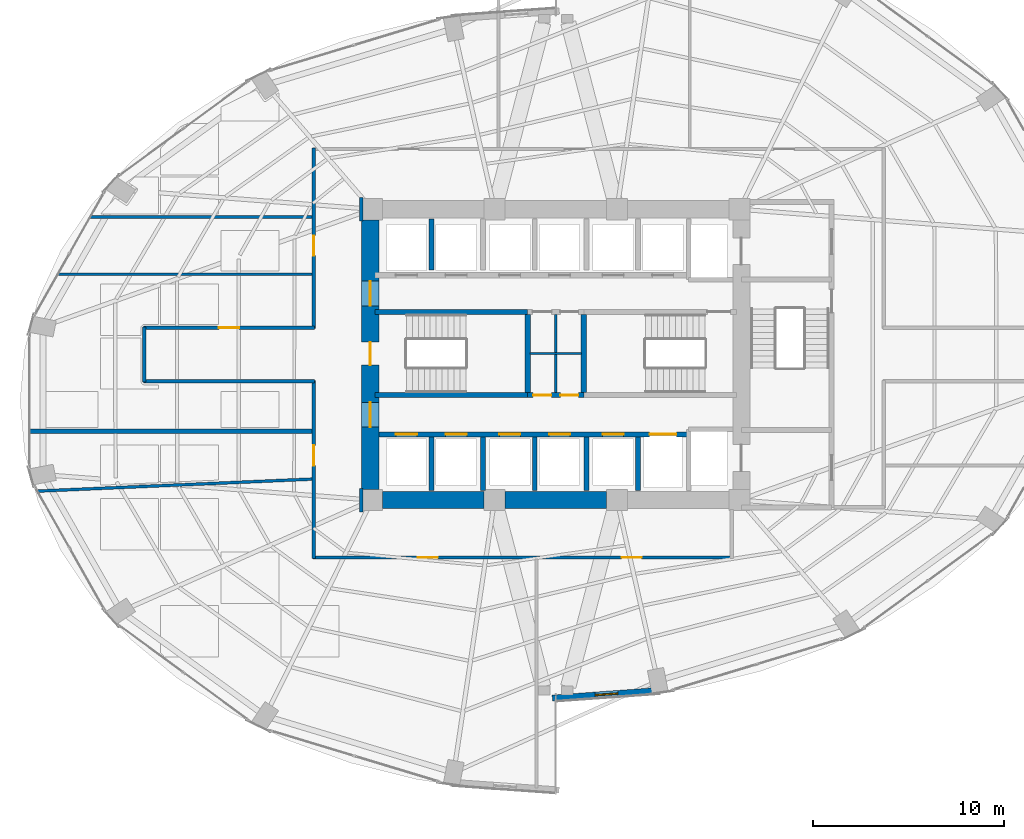
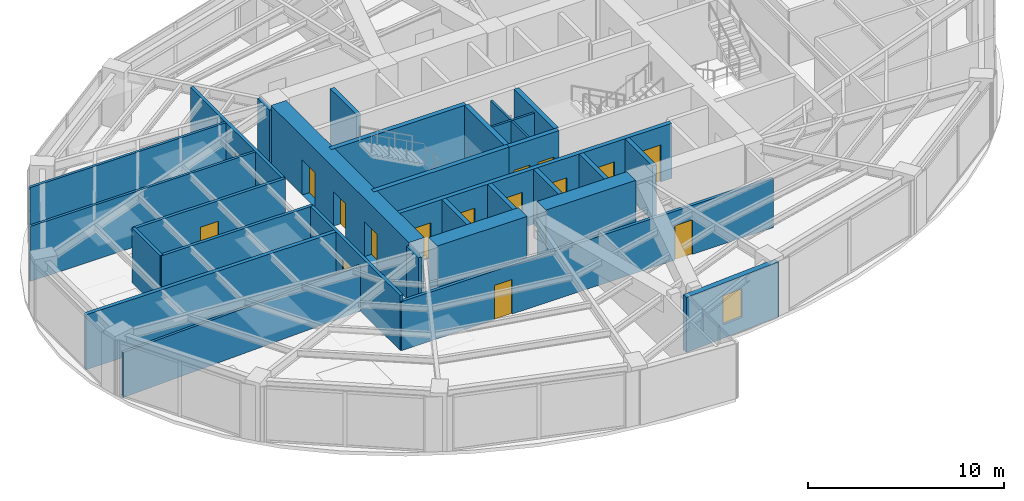
# One storey, part 21 of 25: 30 walls, 16 doors, 1 window, 17 openings.
"""IFC4 building model written with IfcOpenShell, lengths in metres."""

from ifc_helpers import new_model, si_unit, direction, frame, frame_2d, origin, place, context, subcontext, project, spatial, rectangle, extrude, material, layer, layer_set, type_object, element, fill, save


model = new_model("IFC4")

# Units and contexts
model_context = context("Model", 3, precision=1e-05, world=origin(), true_north=direction((0.0, 1.0)))
body_context = subcontext(model_context, "Body", "Model", "MODEL_VIEW")
ifc_project = project(units=[si_unit("LENGTHUNIT", "METRE"), si_unit("AREAUNIT", "SQUARE_METRE"), si_unit("VOLUMEUNIT", "CUBIC_METRE"), si_unit("PLANEANGLEUNIT", "RADIAN"), si_unit("MASSUNIT", "GRAM", prefix="KILO")], contexts=[model_context])

# Site, building, storey
site_placement = place(None, origin())
site = spatial("IfcSite", under=ifc_project, at=site_placement, CompositionType="ELEMENT")
building_placement = place(site_placement, origin())
building = spatial("IfcBuilding", under=site, at=building_placement, Name="Lazwardi Medical Tower", CompositionType="ELEMENT")
storey_placement = place(building_placement, frame((0.0, 0.0, 43.43994140625)))
storey = spatial("IfcBuildingStorey", under=building, at=storey_placement, Name="L10", CompositionType="ELEMENT", Elevation=43.43994140625)

# Wall
ifc_material_1 = material(Name="Fire-rated gypsum board on steel stud", Category="steel")
ifc_layer_1 = layer(ifc_material_1, 0.179931640625)
ifc_layer_set_1 = layer_set([ifc_layer_1], Name="Fire-rated gypsum board on steel stud")
wall_type_1 = type_object("IfcWallType", Name="WL-COR-180", PredefinedType="PARTITIONING", material=ifc_layer_set_1)
wall_1_placement = place(storey_placement, frame((14.5, 26.56005859375, 0.0), z_axis=(0.0, 0.0, 1.0), x_axis=(0.0, 1.0, 0.0)))
element("IfcWall", 1, at=wall_1_placement, inside=storey, type_object=wall_type_1, Name="L10 Corridor partition 1", PredefinedType="PARTITIONING", context=body_context, shape_type="SweptSolid", body=[
    extrude(rectangle(XDim=2.8798828125, YDim=0.179931640625, at=frame_2d((1.43994140625, 0.0))), origin(), (0.0, 0.0, 1.0), 3.427978515625),
])

# Wall, opening, door
wall_2_placement = place(storey_placement, frame((14.4599609375, 29.39990234375, 0.0), z_axis=(0.0, 0.0, 1.0), x_axis=(1.0, 0.0, 0.0)))
wall_2 = element("IfcWall", 2, at=wall_2_placement, inside=storey, type_object=wall_type_1, Name="L10 Corridor partition 2", PredefinedType="PARTITIONING", context=body_context, shape_type="SweptSolid", body=[
    extrude(rectangle(XDim=8.929931640625, YDim=0.179931640625, at=frame_2d((4.46484375, 0.0))), origin(), (0.0, 0.0, 1.0), 3.427978515625),
])
opening_1_placement = place(wall_2_placement, frame((3.93994140625, 0.0, 0.0)))
opening_1 = element("IfcOpeningElement", 3, at=opening_1_placement, cuts=wall_2, Name="Opening D-L10-016", PredefinedType="OPENING", context=body_context, shape_type="SweptSolid", body=[
    extrude(rectangle(XDim=1.050048828125, YDim=2.14990234375, at=frame_2d((0.52490234375, 1.074951171875))), frame((0.0, 0.099853515625, 0.0), z_axis=(0.0, -1.0, 0.0), x_axis=(1.0, 0.0, 0.0)), (0.0, 0.0, 1.0), 0.199951171875),
])
ifc_material_2 = material(Name="Anti-microbial laminate hospital leaf")
door_type_1 = type_object("IfcDoorType", Name="DR-CLN-1050", OperationType="NOTDEFINED", PredefinedType="DOOR", material=ifc_material_2)
door_1_placement = place(opening_1_placement, origin())
door_1 = element("IfcDoor", 4, at=door_1_placement, inside=storey, type_object=door_type_1, Name="L10 Outpatient Clinic Door 08", OperationType="SINGLE_SWING_RIGHT", OverallHeight=2.14990234375, OverallWidth=1.050048828125, PredefinedType="DOOR", context=body_context, shape_type="SweptSolid", body=[
    extrude(rectangle(XDim=1.050048828125, YDim=2.14990234375, at=frame_2d((0.52490234375, 1.074951171875))), frame((0.0, 0.02490234375, 0.0), z_axis=(0.0, -1.0, 0.0), x_axis=(1.0, 0.0, 0.0)), (0.0, 0.0, 1.0), 0.050048828125),
])
fill(opening_1, door_1)

wall_3_placement = place(storey_placement, frame((23.35009765625, 29.360107421875, 0.0), z_axis=(0.0, 0.0, 1.0), x_axis=(0.0, 1.0, 0.0)))
wall_3 = element("IfcWall", 5, at=wall_3_placement, inside=storey, type_object=wall_type_1, Name="L10 Corridor partition 3", PredefinedType="PARTITIONING", context=body_context, shape_type="SweptSolid", body=[
    extrude(rectangle(XDim=9.429931640625, YDim=0.179931640625, at=frame_2d((4.71484375, 0.0))), origin(), (0.0, 0.0, 1.0), 3.427978515625),
])
opening_2_placement = place(wall_3_placement, frame((3.81494140625, 0.0, 0.0)))
opening_2 = element("IfcOpeningElement", 6, at=opening_2_placement, cuts=wall_3, Name="Opening D-L10-015", PredefinedType="OPENING", context=body_context, shape_type="SweptSolid", body=[
    extrude(rectangle(XDim=1.050048828125, YDim=2.14990234375, at=frame_2d((0.52490234375, 1.074951171875))), frame((0.0, 0.099853515625, 0.0), z_axis=(0.0, -1.0, 0.0), x_axis=(1.0, 0.0, 0.0)), (0.0, 0.0, 1.0), 0.199951171875),
])
door_2_placement = place(opening_2_placement, origin())
door_2 = element("IfcDoor", 7, at=door_2_placement, inside=storey, type_object=door_type_1, Name="L10 Outpatient Clinic Door 07", OperationType="SINGLE_SWING_LEFT", OverallHeight=2.14990234375, OverallWidth=1.050048828125, PredefinedType="DOOR", context=body_context, shape_type="SweptSolid", body=[
    extrude(rectangle(XDim=1.050048828125, YDim=2.14990234375, at=frame_2d((0.52490234375, 1.074951171875))), frame((0.0, 0.02490234375, 0.0), z_axis=(0.0, -1.0, 0.0), x_axis=(1.0, 0.0, 0.0)), (0.0, 0.0, 1.0), 0.050048828125),
])
fill(opening_2, door_2)

# Walls
for number, where, z_axis, x_axis, name in (
    (8, (25.830078125, 36.2099609375, 0.0), (0.0, 0.0, 1.0), (0.0, -1.0, 0.0), "L10 Corridor partition 12"),
    (9, (25.830078125, 21.010009765625, 0.0), (0.0, 0.0, 1.0), (0.0, -1.0, 0.0), "L10 Corridor partition 13"),
):
    element("IfcWall", number, at=place(storey_placement, frame(where, z_axis=z_axis, x_axis=x_axis)), inside=storey, type_object=wall_type_1, Name=name, PredefinedType="PARTITIONING", context=body_context, shape_type="SweptSolid", body=[
        extrude(rectangle(XDim=1.219970703125, YDim=0.179931640625, at=frame_2d((0.60986328125, 0.0))), origin(), (0.0, 0.0, 1.0), 3.427978515625),
    ])

# Wall, openings, doors
wall_4_placement = place(storey_placement, frame((45.239990234375, 17.39990234375, 0.0), z_axis=(0.0, 0.0, 1.0), x_axis=(-1.0, 0.0, 0.0)))
wall_4 = element("IfcWall", 10, at=wall_4_placement, inside=storey, type_object=wall_type_1, Name="L10 Corridor partition 15", PredefinedType="PARTITIONING", context=body_context, shape_type="SweptSolid", body=[
    extrude(rectangle(XDim=21.929931640625, YDim=0.179931640625, at=frame_2d((10.96484375, 0.0))), origin(), (0.0, 0.0, 1.0), 3.052978515625),
])
opening_3_placement = place(wall_4_placement, frame((15.40087890625, 0.0, 0.0)))
opening_3 = element("IfcOpeningElement", 11, at=opening_3_placement, cuts=wall_4, Name="Opening D-L10-010", PredefinedType="OPENING", context=body_context, shape_type="SweptSolid", body=[
    extrude(rectangle(XDim=1.050048828125, YDim=2.14990234375, at=frame_2d((0.52490234375, 1.074951171875))), frame((0.0, 0.099853515625, 0.0), z_axis=(0.0, -1.0, 0.0), x_axis=(1.0, 0.0, 0.0)), (0.0, 0.0, 1.0), 0.199951171875),
])
opening_4_placement = place(wall_4_placement, frame((4.75390625, 0.0, 0.0)))
opening_4 = element("IfcOpeningElement", 12, at=opening_4_placement, cuts=wall_4, Name="Opening D-L10-011", PredefinedType="OPENING", context=body_context, shape_type="SweptSolid", body=[
    extrude(rectangle(XDim=1.050048828125, YDim=2.14990234375, at=frame_2d((0.52490234375, 1.074951171875))), frame((0.0, 0.099853515625, 0.0), z_axis=(0.0, -1.0, 0.0), x_axis=(1.0, 0.0, 0.0)), (0.0, 0.0, 1.0), 0.199951171875),
])
door_3_placement = place(opening_3_placement, origin())
door_3 = element("IfcDoor", 13, at=door_3_placement, inside=storey, type_object=door_type_1, Name="L10 Clinical Specialist Office Door 02", OperationType="SINGLE_SWING_RIGHT", OverallHeight=2.14990234375, OverallWidth=1.050048828125, PredefinedType="DOOR", context=body_context, shape_type="SweptSolid", body=[
    extrude(rectangle(XDim=1.050048828125, YDim=2.14990234375, at=frame_2d((0.52490234375, 1.074951171875))), frame((0.0, 0.02490234375, 0.0), z_axis=(0.0, -1.0, 0.0), x_axis=(1.0, 0.0, 0.0)), (0.0, 0.0, 1.0), 0.050048828125),
])
fill(opening_3, door_3)
door_4_placement = place(opening_4_placement, origin())
door_4 = element("IfcDoor", 14, at=door_4_placement, inside=storey, type_object=door_type_1, Name="L10 Outpatient Consultation Suite Door 03", OperationType="SINGLE_SWING_LEFT", OverallHeight=2.14990234375, OverallWidth=1.050048828125, PredefinedType="DOOR", context=body_context, shape_type="SweptSolid", body=[
    extrude(rectangle(XDim=1.050048828125, YDim=2.14990234375, at=frame_2d((0.52490234375, 1.074951171875))), frame((0.0, 0.02490234375, 0.0), z_axis=(0.0, -1.0, 0.0), x_axis=(1.0, 0.0, 0.0)), (0.0, 0.0, 1.0), 0.050048828125),
])
fill(opening_4, door_4)

# Wall, opening, door
wall_5_placement = place(storey_placement, frame((23.35009765625, 17.360107421875, 0.0), z_axis=(0.0, 0.0, 1.0), x_axis=(0.0, 1.0, 0.0)))
wall_5 = element("IfcWall", 15, at=wall_5_placement, inside=storey, type_object=wall_type_1, Name="L10 Corridor partition 16", PredefinedType="PARTITIONING", context=body_context, shape_type="SweptSolid", body=[
    extrude(rectangle(XDim=9.27978515625, YDim=0.179931640625, at=frame_2d((4.639892578125, 0.0))), origin(), (0.0, 0.0, 1.0), 3.427978515625),
])
opening_5_placement = place(wall_5_placement, frame((4.845703125, 0.0, 0.0)))
opening_5 = element("IfcOpeningElement", 16, at=opening_5_placement, cuts=wall_5, Name="Opening D-L10-009", PredefinedType="OPENING", context=body_context, shape_type="SweptSolid", body=[
    extrude(rectangle(XDim=1.050048828125, YDim=2.14990234375, at=frame_2d((0.52490234375, 1.074951171875))), frame((0.0, 0.099853515625, 0.0), z_axis=(0.0, -1.0, 0.0), x_axis=(1.0, 0.0, 0.0)), (0.0, 0.0, 1.0), 0.199951171875),
])
door_5_placement = place(opening_5_placement, origin())
door_5 = element("IfcDoor", 17, at=door_5_placement, inside=storey, type_object=door_type_1, Name="L10 Outpatient Clinic Door 01", OperationType="SINGLE_SWING_LEFT", OverallHeight=2.14990234375, OverallWidth=1.050048828125, PredefinedType="DOOR", context=body_context, shape_type="SweptSolid", body=[
    extrude(rectangle(XDim=1.050048828125, YDim=2.14990234375, at=frame_2d((0.52490234375, 1.074951171875))), frame((0.0, 0.02490234375, 0.0), z_axis=(0.0, -1.0, 0.0), x_axis=(1.0, 0.0, 0.0)), (0.0, 0.0, 1.0), 0.050048828125),
])
fill(opening_5, door_5)

# Wall
wall_6_placement = place(storey_placement, frame((23.389892578125, 26.60009765625, 0.0), z_axis=(0.0, 0.0, 1.0), x_axis=(-1.0, 0.0, 0.0)))
element("IfcWall", 18, at=wall_6_placement, inside=storey, type_object=wall_type_1, Name="L10 Corridor partition 17", PredefinedType="PARTITIONING", context=body_context, shape_type="SweptSolid", body=[
    extrude(rectangle(XDim=8.929931640625, YDim=0.179931640625, at=frame_2d((4.46484375, 0.0))), origin(), (0.0, 0.0, 1.0), 3.427978515625),
])

# Wall, openings, doors
ifc_material_3 = material(Name="Concrete C80/95", Category="concrete")
ifc_layer_2 = layer(ifc_material_3, 0.89990234375)
ifc_layer_set_2 = layer_set([ifc_layer_2], Name="Concrete C80/95")
wall_type_2 = type_object("IfcWallType", Name="WL-CORE-900", PredefinedType="SHEAR", material=ifc_layer_set_2)
wall_7_placement = place(storey_placement, frame((26.300048828125, 20.949951171875, 0.0), z_axis=(0.0, 0.0, 1.0), x_axis=(0.0, 1.0, 0.0)))
wall_7 = element("IfcWall", 19, at=wall_7_placement, inside=storey, type_object=wall_type_2, Name="Core wall CW-S1 west L10", PredefinedType="SHEAR", context=body_context, shape_type="SweptSolid", body=[
    extrude(rectangle(XDim=14.10009765625, YDim=0.89990234375, at=frame_2d((7.050048828125, 0.0))), origin(), (0.0, 0.0, 1.0), 3.64794921875),
])
opening_6_placement = place(wall_7_placement, frame((6.5, 0.0, 0.0)))
opening_6 = element("IfcOpeningElement", 20, at=opening_6_placement, cuts=wall_7, Name="Opening D-L10-017", PredefinedType="OPENING", context=body_context, shape_type="SweptSolid", body=[
    extrude(rectangle(XDim=1.199951171875, YDim=2.14990234375, at=frame_2d((0.60009765625, 1.074951171875))), frame((0.0, 0.4599609375, 0.0), z_axis=(0.0, -1.0, 0.0), x_axis=(1.0, 0.0, 0.0)), (0.0, 0.0, 1.0), 0.919921875),
])
opening_7_placement = place(wall_7_placement, frame((9.60009765625, 0.0, 0.0)))
opening_7 = element("IfcOpeningElement", 21, at=opening_7_placement, cuts=wall_7, Name="Opening D-L10-007", PredefinedType="OPENING", context=body_context, shape_type="SweptSolid", body=[
    extrude(rectangle(XDim=1.300048828125, YDim=2.199951171875, at=frame_2d((0.64990234375, 1.10009765625))), frame((0.0, 0.4599609375, 0.0), z_axis=(0.0, -1.0, 0.0), x_axis=(1.0, 0.0, 0.0)), (0.0, 0.0, 1.0), 0.919921875),
])
opening_8_placement = place(wall_7_placement, frame((3.260009765625, 0.0, 0.0)))
opening_8 = element("IfcOpeningElement", 22, at=opening_8_placement, cuts=wall_7, Name="Opening D-L10-008", PredefinedType="OPENING", context=body_context, shape_type="SweptSolid", body=[
    extrude(rectangle(XDim=1.300048828125, YDim=2.199951171875, at=frame_2d((0.64990234375, 1.10009765625))), frame((0.0, 0.4599609375, 0.0), z_axis=(0.0, -1.0, 0.0), x_axis=(1.0, 0.0, 0.0)), (0.0, 0.0, 1.0), 0.919921875),
])
ifc_material_4 = material(Name="Fire-rated steel leaf and frame", Category="steel")
door_type_2 = type_object("IfcDoorType", Name="DR-FFL-1300", OperationType="NOTDEFINED", PredefinedType="DOOR", material=ifc_material_4)
door_6_placement = place(opening_7_placement, origin())
door_6 = element("IfcDoor", 23, at=door_6_placement, inside=storey, type_object=door_type_2, Name="L10 North Lift Lobby Door", OperationType="SINGLE_SWING_RIGHT", OverallHeight=2.199951171875, OverallWidth=1.300048828125, PredefinedType="DOOR", context=body_context, shape_type="SweptSolid", body=[
    extrude(rectangle(XDim=1.300048828125, YDim=2.199951171875, at=frame_2d((0.64990234375, 1.10009765625))), frame((0.0, 0.02490234375, 0.0), z_axis=(0.0, -1.0, 0.0), x_axis=(1.0, 0.0, 0.0)), (0.0, 0.0, 1.0), 0.050048828125),
])
fill(opening_7, door_6)
door_7_placement = place(opening_8_placement, origin())
door_7 = element("IfcDoor", 24, at=door_7_placement, inside=storey, type_object=door_type_2, Name="L10 South Lift Lobby Door", OperationType="SINGLE_SWING_LEFT", OverallHeight=2.199951171875, OverallWidth=1.300048828125, PredefinedType="DOOR", context=body_context, shape_type="SweptSolid", body=[
    extrude(rectangle(XDim=1.300048828125, YDim=2.199951171875, at=frame_2d((0.64990234375, 1.10009765625))), frame((0.0, 0.02490234375, 0.0), z_axis=(0.0, -1.0, 0.0), x_axis=(1.0, 0.0, 0.0)), (0.0, 0.0, 1.0), 0.050048828125),
])
fill(opening_8, door_7)
door_type_3 = type_object("IfcDoorType", Name="DR-STR-1200", OperationType="NOTDEFINED", PredefinedType="DOOR", material=ifc_material_4)
door_8_placement = place(opening_6_placement, origin())
door_8 = element("IfcDoor", 25, at=door_8_placement, inside=storey, type_object=door_type_3, Name="L10 Exit Stair ST1 Door", OperationType="SINGLE_SWING_RIGHT", OverallHeight=2.14990234375, OverallWidth=1.199951171875, PredefinedType="DOOR", context=body_context, shape_type="SweptSolid", body=[
    extrude(rectangle(XDim=1.199951171875, YDim=2.14990234375, at=frame_2d((0.60009765625, 1.074951171875))), frame((0.0, 0.02490234375, 0.0), z_axis=(0.0, -1.0, 0.0), x_axis=(1.0, 0.0, 0.0)), (0.0, 0.0, 1.0), 0.050048828125),
])
fill(opening_6, door_8)

# Walls
wall_8_placement = place(storey_placement, frame((26.949951171875, 20.39990234375, 0.0), z_axis=(0.0, 0.0, 1.0), x_axis=(1.0, 0.0, 0.0)))
element("IfcWall", 26, at=wall_8_placement, inside=storey, type_object=wall_type_2, Name="Core wall CW-S1 S1 L10", PredefinedType="SHEAR", context=body_context, shape_type="SweptSolid", body=[
    extrude(rectangle(XDim=5.300048828125, YDim=0.89990234375, at=frame_2d((2.64990234375, 0.0))), origin(), (0.0, 0.0, 1.0), 3.64794921875),
])
wall_9_placement = place(storey_placement, frame((33.35009765625, 20.39990234375, 0.0), z_axis=(0.0, 0.0, 1.0), x_axis=(1.0, 0.0, 0.0)))
element("IfcWall", 27, at=wall_9_placement, inside=storey, type_object=wall_type_2, Name="Core wall CW-S1 S2 L10", PredefinedType="SHEAR", context=body_context, shape_type="SweptSolid", body=[
    extrude(rectangle(XDim=5.2998046875, YDim=0.89990234375, at=frame_2d((2.64990234375, 0.0))), origin(), (0.0, 0.0, 1.0), 3.64794921875),
])
ifc_material_5 = material(Name="Moisture-resistant gypsum board partition")
ifc_layer_3 = layer(ifc_material_5, 0.125)
ifc_layer_set_3 = layer_set([ifc_layer_3], Name="Moisture-resistant gypsum board partition")
wall_type_3 = type_object("IfcWallType", Name="WL-ENS-125", PredefinedType="PARTITIONING", material=ifc_layer_set_3)
wall_10_placement = place(storey_placement, frame((34.64990234375, 28.06005859375, 0.0), z_axis=(0.0, 0.0, 1.0), x_axis=(1.0, 0.0, 0.0)))
element("IfcWall", 28, at=wall_10_placement, inside=storey, type_object=wall_type_3, Name="L10 Core 4-way H divider", PredefinedType="PARTITIONING", context=body_context, shape_type="SweptSolid", body=[
    extrude(rectangle(XDim=2.7001953125, YDim=0.125, at=frame_2d((1.35009765625, 0.0))), origin(), (0.0, 0.0, 1.0), 3.427978515625),
])
wall_11_placement = place(storey_placement, frame((36.0, 26.02001953125, 0.0), z_axis=(0.0, 0.0, 1.0), x_axis=(0.0, 1.0, 0.0)))
element("IfcWall", 29, at=wall_11_placement, inside=storey, type_object=wall_type_3, Name="L10 Core 4-way V divider", PredefinedType="PARTITIONING", context=body_context, shape_type="SweptSolid", body=[
    extrude(rectangle(XDim=4.080078125, YDim=0.125, at=frame_2d((2.0400390625, 0.0))), origin(), (0.0, 0.0, 1.0), 3.427978515625),
])

# Wall, opening, window
ifc_material_6 = material(Name="Precast concrete C45/55", Category="concrete")
ifc_layer_4 = layer(ifc_material_6, 0.320068359375)
ifc_layer_set_4 = layer_set([ifc_layer_4], Name="Precast concrete C45/55")
wall_type_4 = type_object("IfcWallType", Name="WL-IWAN-320", PredefinedType="SOLIDWALL", material=ifc_layer_set_4)
wall_12_placement = place(storey_placement, frame((35.820556640625, 10.047119140625, 0.0), z_axis=(0.0, 0.0, 1.0), x_axis=(0.997422321809, 0.071754525696, 0.0)))
wall_12 = element("IfcWall", 30, at=wall_12_placement, inside=storey, type_object=wall_type_4, Name="L10 Iwan Portal Return Wall SE_ret", PredefinedType="SOLIDWALL", context=body_context, shape_type="SweptSolid", body=[
    extrude(rectangle(XDim=5.67529296875, YDim=0.320068359375, at=frame_2d((2.837646484375, 0.0))), origin(), (0.0, 0.0, 1.0), 3.427978515625),
])
opening_9_placement = place(wall_12_placement, frame((2.23779296875, 0.0, 0.85009765625)))
opening_9 = element("IfcOpeningElement", 31, at=opening_9_placement, cuts=wall_12, Name="Opening WN-04", PredefinedType="OPENING", context=body_context, shape_type="SweptSolid", body=[
    extrude(rectangle(XDim=1.199951171875, YDim=1.800048828125, at=frame_2d((0.60009765625, 0.89990234375))), frame((0.0, 0.169921875, 0.0), z_axis=(0.0, -1.0, 0.0), x_axis=(1.0, 0.0, 0.0)), (0.0, 0.0, 1.0), 0.340087890625),
])
ifc_material_7 = material(Name="Low-e bronze solar control double glazing", Category="glass")
window_type = type_object("IfcWindowType", Name="WIN-DRUM-1200", PartitioningType="SINGLE_PANEL", PredefinedType="WINDOW", material=ifc_material_7)
window_placement = place(opening_9_placement, origin())
window = element("IfcWindow", 32, at=window_placement, inside=storey, type_object=window_type, Name="L10 Iwan Slot Window SE_ret", OverallHeight=1.800048828125, OverallWidth=1.199951171875, PartitioningType="SINGLE_PANEL", PredefinedType="WINDOW", context=body_context, shape_type="SweptSolid", body=[
    extrude(rectangle(XDim=1.199951171875, YDim=1.800048828125, at=frame_2d((0.60009765625, 0.89990234375))), frame((0.0, 0.030029296875, 0.0), z_axis=(0.0, -1.0, 0.0), x_axis=(1.0, 0.0, 0.0)), (0.0, 0.0, 1.0), 0.06005859375),
])
fill(opening_9, window)

# Wall, openings, doors
ifc_material_8 = material(Name="Autoclaved aerated concrete blockwork", Category="masonry")
ifc_layer_5 = layer(ifc_material_8, 0.25)
ifc_layer_set_5 = layer_set([ifc_layer_5], Name="Autoclaved aerated concrete blockwork")
wall_type_5 = type_object("IfcWallType", Name="WL-SHAFT-250", PredefinedType="SOLIDWALL", material=ifc_layer_set_5)
wall_13_placement = place(storey_placement, frame((26.75, 23.830078125, 0.0), z_axis=(0.0, 0.0, 1.0), x_axis=(1.0, 0.0, 0.0)))
wall_13 = element("IfcWall", 33, at=wall_13_placement, inside=storey, type_object=wall_type_5, Name="L10 South lift bank front wall", PredefinedType="SOLIDWALL", context=body_context, shape_type="SweptSolid", body=[
    extrude(rectangle(XDim=16.199951171875, YDim=0.25, at=frame_2d((8.10009765625, 0.0))), origin(), (0.0, 0.0, 1.0), 3.427978515625),
])
opening_10_placement = place(wall_13_placement, frame((0.89990234375, 0.0, 0.0)))
opening_10 = element("IfcOpeningElement", 34, at=opening_10_placement, cuts=wall_13, Name="Opening LD-L10-006", PredefinedType="OPENING", context=body_context, shape_type="SweptSolid", body=[
    extrude(rectangle(XDim=1.10009765625, YDim=2.199951171875, at=frame_2d((0.550048828125, 1.10009765625))), frame((0.0, 0.135009765625, 0.0), z_axis=(0.0, -1.0, 0.0), x_axis=(1.0, 0.0, 0.0)), (0.0, 0.0, 1.0), 0.27001953125),
])
opening_11_placement = place(wall_13_placement, frame((3.5, 0.0, 0.0)))
opening_11 = element("IfcOpeningElement", 35, at=opening_11_placement, cuts=wall_13, Name="Opening LD-L10-007", PredefinedType="OPENING", context=body_context, shape_type="SweptSolid", body=[
    extrude(rectangle(XDim=1.10009765625, YDim=2.199951171875, at=frame_2d((0.550048828125, 1.10009765625))), frame((0.0, 0.135009765625, 0.0), z_axis=(0.0, -1.0, 0.0), x_axis=(1.0, 0.0, 0.0)), (0.0, 0.0, 1.0), 0.27001953125),
])
opening_12_placement = place(wall_13_placement, frame((6.300048828125, 0.0, 0.0)))
opening_12 = element("IfcOpeningElement", 36, at=opening_12_placement, cuts=wall_13, Name="Opening LD-L10-010", PredefinedType="OPENING", context=body_context, shape_type="SweptSolid", body=[
    extrude(rectangle(XDim=1.10009765625, YDim=2.199951171875, at=frame_2d((0.550048828125, 1.10009765625))), frame((0.0, 0.135009765625, 0.0), z_axis=(0.0, -1.0, 0.0), x_axis=(1.0, 0.0, 0.0)), (0.0, 0.0, 1.0), 0.27001953125),
])
opening_13_placement = place(wall_13_placement, frame((8.89990234375, 0.0, 0.0)))
opening_13 = element("IfcOpeningElement", 37, at=opening_13_placement, cuts=wall_13, Name="Opening LD-L10-011", PredefinedType="OPENING", context=body_context, shape_type="SweptSolid", body=[
    extrude(rectangle(XDim=1.10009765625, YDim=2.199951171875, at=frame_2d((0.550048828125, 1.10009765625))), frame((0.0, 0.135009765625, 0.0), z_axis=(0.0, -1.0, 0.0), x_axis=(1.0, 0.0, 0.0)), (0.0, 0.0, 1.0), 0.27001953125),
])
opening_14_placement = place(wall_13_placement, frame((11.699951171875, 0.0, 0.0)))
opening_14 = element("IfcOpeningElement", 38, at=opening_14_placement, cuts=wall_13, Name="Opening LD-L10-014", PredefinedType="OPENING", context=body_context, shape_type="SweptSolid", body=[
    extrude(rectangle(XDim=1.10009765625, YDim=2.199951171875, at=frame_2d((0.550048828125, 1.10009765625))), frame((0.0, 0.135009765625, 0.0), z_axis=(0.0, -1.0, 0.0), x_axis=(1.0, 0.0, 0.0)), (0.0, 0.0, 1.0), 0.27001953125),
])
opening_15_placement = place(wall_13_placement, frame((14.14990234375, 0.0, 0.0)))
opening_15 = element("IfcOpeningElement", 39, at=opening_15_placement, cuts=wall_13, Name="Opening LD-L10-003", PredefinedType="OPENING", context=body_context, shape_type="SweptSolid", body=[
    extrude(rectangle(XDim=1.39990234375, YDim=2.300048828125, at=frame_2d((0.699951171875, 1.14990234375))), frame((0.0, 0.135009765625, 0.0), z_axis=(0.0, -1.0, 0.0), x_axis=(1.0, 0.0, 0.0)), (0.0, 0.0, 1.0), 0.27001953125),
])
ifc_material_9 = material(Name="Brushed bronze stainless steel landing door", Category="steel")
door_type_4 = type_object("IfcDoorType", Name="DR-LFT-1100", OperationType="NOTDEFINED", PredefinedType="DOOR", material=ifc_material_9)
door_9_placement = place(opening_10_placement, origin())
door_9 = element("IfcDoor", 40, at=door_9_placement, inside=storey, type_object=door_type_4, Name="L10 Lift Landing Door PL-03", OperationType="SLIDING_TO_LEFT", OverallHeight=2.199951171875, OverallWidth=1.10009765625, PredefinedType="DOOR", context=body_context, shape_type="SweptSolid", body=[
    extrude(rectangle(XDim=1.10009765625, YDim=2.199951171875, at=frame_2d((0.550048828125, 1.10009765625))), frame((0.0, 0.02490234375, 0.0), z_axis=(0.0, -1.0, 0.0), x_axis=(1.0, 0.0, 0.0)), (0.0, 0.0, 1.0), 0.050048828125),
])
fill(opening_10, door_9)
door_10_placement = place(opening_11_placement, origin())
door_10 = element("IfcDoor", 41, at=door_10_placement, inside=storey, type_object=door_type_4, Name="L10 Lift Landing Door PL-04", OperationType="SLIDING_TO_LEFT", OverallHeight=2.199951171875, OverallWidth=1.10009765625, PredefinedType="DOOR", context=body_context, shape_type="SweptSolid", body=[
    extrude(rectangle(XDim=1.10009765625, YDim=2.199951171875, at=frame_2d((0.550048828125, 1.10009765625))), frame((0.0, 0.02490234375, 0.0), z_axis=(0.0, -1.0, 0.0), x_axis=(1.0, 0.0, 0.0)), (0.0, 0.0, 1.0), 0.050048828125),
])
fill(opening_11, door_10)
door_11_placement = place(opening_12_placement, origin())
door_11 = element("IfcDoor", 42, at=door_11_placement, inside=storey, type_object=door_type_4, Name="L10 Lift Landing Door PL-07", OperationType="SLIDING_TO_LEFT", OverallHeight=2.199951171875, OverallWidth=1.10009765625, PredefinedType="DOOR", context=body_context, shape_type="SweptSolid", body=[
    extrude(rectangle(XDim=1.10009765625, YDim=2.199951171875, at=frame_2d((0.550048828125, 1.10009765625))), frame((0.0, 0.02490234375, 0.0), z_axis=(0.0, -1.0, 0.0), x_axis=(1.0, 0.0, 0.0)), (0.0, 0.0, 1.0), 0.050048828125),
])
fill(opening_12, door_11)
door_12_placement = place(opening_13_placement, origin())
door_12 = element("IfcDoor", 43, at=door_12_placement, inside=storey, type_object=door_type_4, Name="L10 Lift Landing Door PL-08", OperationType="SLIDING_TO_LEFT", OverallHeight=2.199951171875, OverallWidth=1.10009765625, PredefinedType="DOOR", context=body_context, shape_type="SweptSolid", body=[
    extrude(rectangle(XDim=1.10009765625, YDim=2.199951171875, at=frame_2d((0.550048828125, 1.10009765625))), frame((0.0, 0.02490234375, 0.0), z_axis=(0.0, -1.0, 0.0), x_axis=(1.0, 0.0, 0.0)), (0.0, 0.0, 1.0), 0.050048828125),
])
fill(opening_13, door_12)
door_13_placement = place(opening_14_placement, origin())
door_13 = element("IfcDoor", 44, at=door_13_placement, inside=storey, type_object=door_type_4, Name="L10 Lift Landing Door PL-11", OperationType="SLIDING_TO_LEFT", OverallHeight=2.199951171875, OverallWidth=1.10009765625, PredefinedType="DOOR", context=body_context, shape_type="SweptSolid", body=[
    extrude(rectangle(XDim=1.10009765625, YDim=2.199951171875, at=frame_2d((0.550048828125, 1.10009765625))), frame((0.0, 0.02490234375, 0.0), z_axis=(0.0, -1.0, 0.0), x_axis=(1.0, 0.0, 0.0)), (0.0, 0.0, 1.0), 0.050048828125),
])
fill(opening_14, door_13)
ifc_material_10 = material(Name="Brushed stainless steel bed-lift landing door", Category="steel")
door_type_5 = type_object("IfcDoorType", Name="DR-LFT-1400", OperationType="NOTDEFINED", PredefinedType="DOOR", material=ifc_material_10)
door_14_placement = place(opening_15_placement, origin())
door_14 = element("IfcDoor", 45, at=door_14_placement, inside=storey, type_object=door_type_5, Name="L10 Lift Landing Door FL-03", OperationType="SLIDING_TO_LEFT", OverallHeight=2.300048828125, OverallWidth=1.39990234375, PredefinedType="DOOR", context=body_context, shape_type="SweptSolid", body=[
    extrude(rectangle(XDim=1.39990234375, YDim=2.300048828125, at=frame_2d((0.699951171875, 1.14990234375))), frame((0.0, 0.02490234375, 0.0), z_axis=(0.0, -1.0, 0.0), x_axis=(1.0, 0.0, 0.0)), (0.0, 0.0, 1.0), 0.050048828125),
])
fill(opening_15, door_14)

# Walls
wall_14_placement = place(storey_placement, frame((29.5, 32.419921875, 0.0), z_axis=(0.0, 0.0, 1.0), x_axis=(0.0, 1.0, 0.0)))
element("IfcWall", 46, at=wall_14_placement, inside=storey, type_object=wall_type_5, Name="L10 North hoistway divider", PredefinedType="SOLIDWALL", context=body_context, shape_type="SweptSolid", body=[
    extrude(rectangle(XDim=2.68017578125, YDim=0.25, at=frame_2d((1.340087890625, 0.0))), origin(), (0.0, 0.0, 1.0), 3.427978515625),
])
for number, where, z_axis, x_axis, name in (
    (47, (29.5, 20.89990234375, 0.0), (0.0, 0.0, 1.0), (0.0, 1.0, 0.0), "L10 South hoistway divider"),
    (48, (32.199951171875, 20.89990234375, 0.0), (0.0, 0.0, 1.0), (0.0, 1.0, 0.0), "L10 South hoistway divider"),
    (49, (34.89990234375, 20.89990234375, 0.0), (0.0, 0.0, 1.0), (0.0, 1.0, 0.0), "L10 South hoistway divider"),
    (50, (37.60009765625, 20.89990234375, 0.0), (0.0, 0.0, 1.0), (0.0, 1.0, 0.0), "L10 South hoistway divider"),
    (51, (40.300048828125, 20.89990234375, 0.0), (0.0, 0.0, 1.0), (0.0, 1.0, 0.0), "L10 South hoistway divider"),
):
    element("IfcWall", number, at=place(storey_placement, frame(where, z_axis=z_axis, x_axis=x_axis)), inside=storey, type_object=wall_type_5, Name=name, PredefinedType="SOLIDWALL", context=body_context, shape_type="SweptSolid", body=[
        extrude(rectangle(XDim=2.800048828125, YDim=0.25, at=frame_2d((1.39990234375, 0.0))), origin(), (0.0, 0.0, 1.0), 3.427978515625),
    ])
ifc_layer_6 = layer(ifc_material_1, 0.219970703125)
ifc_layer_set_6 = layer_set([ifc_layer_6], Name="Fire-rated gypsum board on steel stud")
wall_type_6 = type_object("IfcWallType", Name="WL-SMK-220", PredefinedType="PARTITIONING", material=ifc_layer_set_6)
wall_15_placement = place(storey_placement, frame((8.5078125, 24.0, 0.0), z_axis=(0.0, 0.0, 1.0), x_axis=(1.0, 0.0, 0.0)))
element("IfcWall", 52, at=wall_15_placement, inside=storey, type_object=wall_type_6, Name="L10 Room partition 2", PredefinedType="PARTITIONING", context=body_context, shape_type="SweptSolid", body=[
    extrude(rectangle(XDim=14.752197265625, YDim=0.219970703125, at=frame_2d((7.3759765625, 0.0))), origin(), (0.0, 0.0, 1.0), 3.427978515625),
])
ifc_material_11 = material(Name="Concrete C50/60", Category="concrete")
ifc_layer_7 = layer(ifc_material_11, 0.27001953125)
ifc_layer_set_7 = layer_set([ifc_layer_7], Name="Concrete C50/60")
wall_type_7 = type_object("IfcWallType", Name="WL-STR-250", PredefinedType="SHEAR", material=ifc_layer_set_7)
for number, where, z_axis, x_axis, name in (
    (53, (26.550048828125, 30.235107421875, 0.0), (0.0, 0.0, 1.0), (1.0, 0.0, 0.0), "L10 ST1 North shear shaft wall SW-S1"),
    (54, (26.550048828125, 25.885009765625, 0.0), (0.0, 0.0, 1.0), (1.0, 0.0, 0.0), "L10 ST1 South shear shaft wall SW-S1"),
):
    element("IfcWall", number, at=place(storey_placement, frame(where, z_axis=z_axis, x_axis=x_axis)), inside=storey, type_object=wall_type_7, Name=name, PredefinedType="SHEAR", context=body_context, shape_type="SweptSolid", body=[
        extrude(rectangle(XDim=7.98486328125, YDim=0.27001953125, at=frame_2d((3.992431640625, 0.0))), origin(), (0.0, 0.0, 1.0), 3.64794921875),
    ])

# Wall, openings, doors
wall_16_placement = place(storey_placement, frame((34.534912109375, 25.885009765625, 0.0), z_axis=(0.0, 0.0, 1.0), x_axis=(1.0, 0.0, 0.0)))
wall_16 = element("IfcWall", 55, at=wall_16_placement, inside=storey, type_object=wall_type_7, Name="L10 Core service South shear wall SW-S1", PredefinedType="SHEAR", context=body_context, shape_type="SweptSolid", body=[
    extrude(rectangle(XDim=2.93017578125, YDim=0.27001953125, at=frame_2d((1.465087890625, 0.0))), origin(), (0.0, 0.0, 1.0), 3.64794921875),
])
opening_16_placement = place(wall_16_placement, frame((0.280029296875, 0.0, 0.0)))
opening_16 = element("IfcOpeningElement", 56, at=opening_16_placement, cuts=wall_16, Name="Opening D-L10-001", PredefinedType="OPENING", context=body_context, shape_type="SweptSolid", body=[
    extrude(rectangle(XDim=0.949951171875, YDim=2.10009765625, at=frame_2d((0.47509765625, 1.050048828125))), frame((0.0, 0.14501953125, 0.0), z_axis=(0.0, -1.0, 0.0), x_axis=(1.0, 0.0, 0.0)), (0.0, 0.0, 1.0), 0.2900390625),
])
opening_17_placement = place(wall_16_placement, frame((1.699951171875, 0.0, 0.0)))
opening_17 = element("IfcOpeningElement", 57, at=opening_17_placement, cuts=wall_16, Name="Opening D-L10-002", PredefinedType="OPENING", context=body_context, shape_type="SweptSolid", body=[
    extrude(rectangle(XDim=0.949951171875, YDim=2.10009765625, at=frame_2d((0.47509765625, 1.050048828125))), frame((0.0, 0.14501953125, 0.0), z_axis=(0.0, -1.0, 0.0), x_axis=(1.0, 0.0, 0.0)), (0.0, 0.0, 1.0), 0.2900390625),
])
ifc_material_12 = material(Name="Moisture-resistant laminate door leaf")
door_type_6 = type_object("IfcDoorType", Name="DR-ENS-950", OperationType="NOTDEFINED", PredefinedType="DOOR", material=ifc_material_12)
door_15_placement = place(opening_16_placement, origin())
door_15 = element("IfcDoor", 58, at=door_15_placement, inside=storey, type_object=door_type_6, Name="L10 Staff WC Door", OperationType="SINGLE_SWING_RIGHT", OverallHeight=2.10009765625, OverallWidth=0.949951171875, PredefinedType="DOOR", context=body_context, shape_type="SweptSolid", body=[
    extrude(rectangle(XDim=0.949951171875, YDim=2.10009765625, at=frame_2d((0.47509765625, 1.050048828125))), frame((0.0, 0.02490234375, 0.0), z_axis=(0.0, -1.0, 0.0), x_axis=(1.0, 0.0, 0.0)), (0.0, 0.0, 1.0), 0.050048828125),
])
fill(opening_16, door_15)
door_16_placement = place(opening_17_placement, origin())
door_16 = element("IfcDoor", 59, at=door_16_placement, inside=storey, type_object=door_type_6, Name="L10 Comms Room Door", OperationType="SINGLE_SWING_LEFT", OverallHeight=2.10009765625, OverallWidth=0.949951171875, PredefinedType="DOOR", context=body_context, shape_type="SweptSolid", body=[
    extrude(rectangle(XDim=0.949951171875, YDim=2.10009765625, at=frame_2d((0.47509765625, 1.050048828125))), frame((0.0, 0.02490234375, 0.0), z_axis=(0.0, -1.0, 0.0), x_axis=(1.0, 0.0, 0.0)), (0.0, 0.0, 1.0), 0.050048828125),
])
fill(opening_17, door_16)

# Walls
for number, where, z_axis, x_axis, name in (
    (60, (34.534912109375, 26.02001953125, 0.0), (0.0, 0.0, 1.0), (0.0, 1.0, 0.0), "L10 ST1 East shear shaft wall SW-S1"),
    (61, (37.465087890625, 26.02001953125, 0.0), (0.0, 0.0, 1.0), (0.0, 1.0, 0.0), "L10 ST2 West shear shaft wall SW-S1"),
):
    element("IfcWall", number, at=place(storey_placement, frame(where, z_axis=z_axis, x_axis=x_axis)), inside=storey, type_object=wall_type_7, Name=name, PredefinedType="SHEAR", context=body_context, shape_type="SweptSolid", body=[
        extrude(rectangle(XDim=4.080078125, YDim=0.27001953125, at=frame_2d((2.0400390625, 0.0))), origin(), (0.0, 0.0, 1.0), 3.64794921875),
    ])
ifc_material_13 = material(Name="Acoustic gypsum board partition")
ifc_layer_8 = layer(ifc_material_13, 0.14990234375)
ifc_layer_set_8 = layer_set([ifc_layer_8], Name="Acoustic gypsum board partition")
wall_type_8 = type_object("IfcWallType", Name="WL-WRD-150", PredefinedType="PARTITIONING", material=ifc_layer_set_8)
wall_17_placement = place(storey_placement, frame((8.90478515625, 20.868408203125, 0.0), z_axis=(0.0, 0.0, 1.0), x_axis=(0.999043936959, 0.043717411007, 0.0)))
element("IfcWall", 62, at=wall_17_placement, inside=storey, type_object=wall_type_8, Name="L10 Room partition 1", PredefinedType="PARTITIONING", context=body_context, shape_type="SweptSolid", body=[
    extrude(rectangle(XDim=14.368896484375, YDim=0.14990234375, at=frame_2d((7.1845703125, 0.0))), origin(), (0.0, 0.0, 1.0), 2.81298828125),
])
wall_18_placement = place(storey_placement, frame((9.97802734375, 32.199951171875, 0.0), z_axis=(0.0, 0.0, 1.0), x_axis=(1.0, 0.0, 0.0)))
element("IfcWall", 63, at=wall_18_placement, inside=storey, type_object=wall_type_8, Name="L10 Room partition 3", PredefinedType="PARTITIONING", context=body_context, shape_type="SweptSolid", body=[
    extrude(rectangle(XDim=13.281982421875, YDim=0.14990234375, at=frame_2d((6.64111328125, 0.0))), origin(), (0.0, 0.0, 1.0), 3.427978515625),
])
wall_19_placement = place(storey_placement, frame((11.677490234375, 35.199951171875, 0.0), z_axis=(0.0, 0.0, 1.0), x_axis=(1.0, 0.0, 0.0)))
element("IfcWall", 64, at=wall_19_placement, inside=storey, type_object=wall_type_8, Name="L10 Room partition 4", PredefinedType="PARTITIONING", context=body_context, shape_type="SweptSolid", body=[
    extrude(rectangle(XDim=11.58251953125, YDim=0.14990234375, at=frame_2d((5.791259765625, 0.0))), origin(), (0.0, 0.0, 1.0), 3.427978515625),
])

save(model, "model.ifc")
